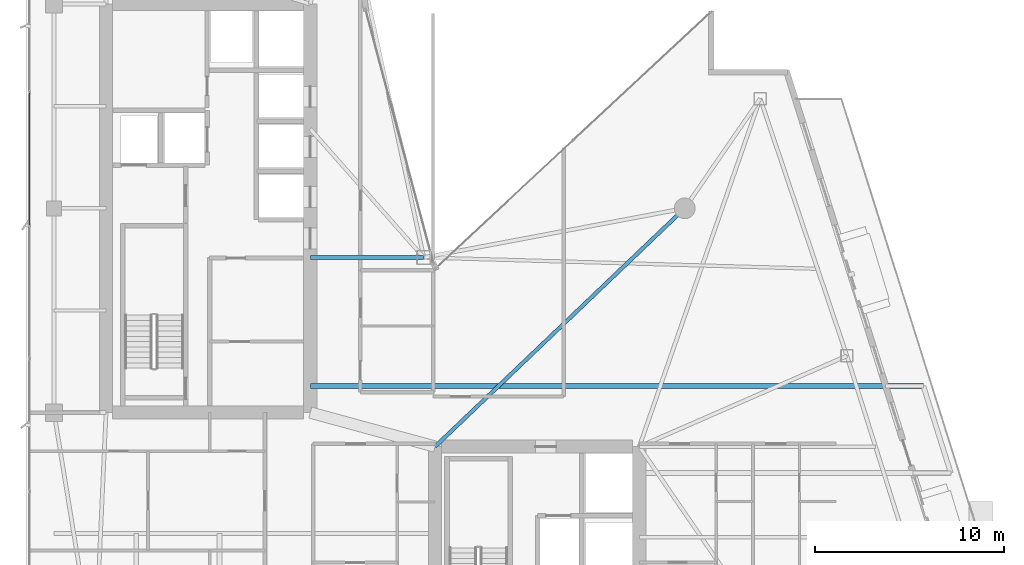
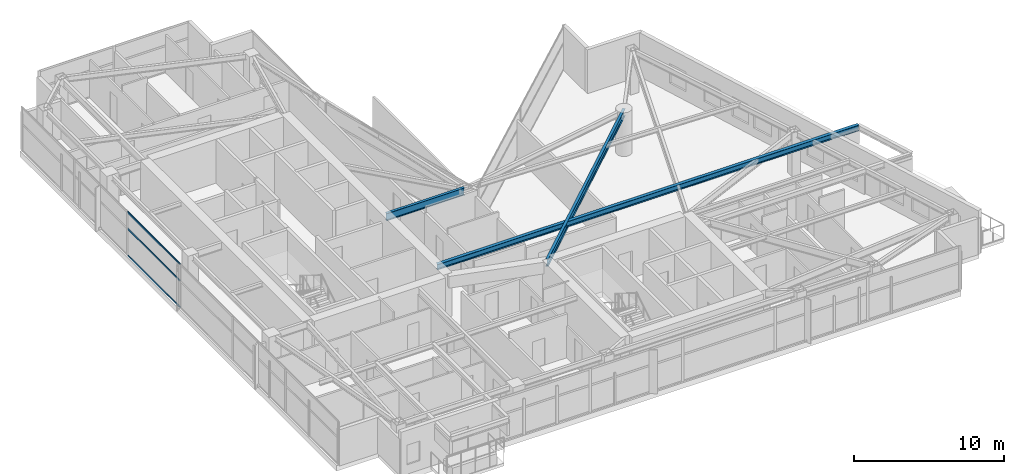
# One storey, part 9 of 28: 3 beams, 3 members, 1 element without a shape of its own.
"""IFC4 building model written with IfcOpenShell, lengths in metres."""

from ifc_helpers import new_model, si_unit, direction, frame, origin, origin_2d, place, context, subcontext, project, spatial, hollow_rectangle, i_section, extrude, material, layer, layer_set, material_profile, profile_set, type_object, element, aggregate, save


model = new_model("IFC4")

# Units and contexts
model_context = context("Model", 3, precision=1e-05, world=origin(), true_north=direction((0.0, 1.0)))
body_context = subcontext(model_context, "Body", "Model", "MODEL_VIEW")
ifc_project = project(units=[si_unit("LENGTHUNIT", "METRE"), si_unit("AREAUNIT", "SQUARE_METRE"), si_unit("VOLUMEUNIT", "CUBIC_METRE"), si_unit("PLANEANGLEUNIT", "RADIAN"), si_unit("MASSUNIT", "GRAM", prefix="KILO")], contexts=[model_context])

# Site, building, storey
site_placement = place(None, origin())
site = spatial("IfcSite", under=ifc_project, at=site_placement, CompositionType="ELEMENT")
building_placement = place(site_placement, origin())
building = spatial("IfcBuilding", under=site, at=building_placement, Name="Calvorn Quay Hotel", CompositionType="ELEMENT")
storey_placement = place(building_placement, frame((0.0, 0.0, 219.300048828125)))
storey = spatial("IfcBuildingStorey", under=building, at=storey_placement, Name="L54", CompositionType="ELEMENT", Elevation=219.300048828125)

# Beams
ifc_material_1 = material(Name="Steel Q355B", Category="steel")
ifc_material_profile_1 = material_profile(ifc_material_1, i_section(OverallWidth=0.25, OverallDepth=0.449951171875, WebThickness=0.011962890625, FlangeThickness=0.01611328125, FilletRadius=0.01611328125, at=origin_2d()), Name="HN450x250x12x16")
ifc_profile_set_1 = profile_set([ifc_material_profile_1], Name="Steel Q355B")
beam_type_1 = type_object("IfcBeamType", Name="BM-CANT-BALC", PredefinedType="BEAM", material=ifc_profile_set_1)
beam_1_placement = place(storey_placement, frame((15.0, 18.199951171875, 3.31494140625), z_axis=(1.0, 0.0, 0.0), x_axis=(0.0, 1.0, 0.0)))
element("IfcBeam", 1, at=beam_1_placement, inside=storey, type_object=beam_type_1, Name="Cantilever Balcony Beam BCB-L55-1B", PredefinedType="BEAM", context=body_context, shape_type="SweptSolid", body=[
    extrude(i_section(OverallWidth=0.25, OverallDepth=0.449951171875, WebThickness=0.011962890625, FlangeThickness=0.01611328125, FilletRadius=0.01611328125, at=origin_2d()), origin(), (0.0, 0.0, 1.0), 32.419921875),
])
ifc_material_2 = material(Name="Steel Q355B", Category="steel")
ifc_material_profile_2 = material_profile(ifc_material_2, i_section(OverallWidth=0.199951171875, OverallDepth=0.60009765625, WebThickness=0.010986328125, FlangeThickness=0.01708984375, FilletRadius=0.01806640625, at=origin_2d()), Name="HN600x200x11x17")
ifc_profile_set_2 = profile_set([ifc_material_profile_2], Name="Steel Q355B")
beam_type_2 = type_object("IfcBeamType", Name="BM-GIRD-TYP", PredefinedType="BEAM", material=ifc_profile_set_2)
beam_2_placement = place(storey_placement, frame((21.0, 25.0, 3.239990234375), z_axis=(-1.0, 0.0, 0.0), x_axis=(0.0, -1.0, 0.0)))
element("IfcBeam", 2, at=beam_2_placement, inside=storey, type_object=beam_type_2, Name="Beam BG-L54-W7", PredefinedType="BEAM", context=body_context, shape_type="SweptSolid", body=[
    extrude(i_section(OverallWidth=0.199951171875, OverallDepth=0.60009765625, WebThickness=0.010986328125, FlangeThickness=0.01708984375, FilletRadius=0.01806640625, at=origin_2d()), origin(), (0.0, 0.0, 1.0), 6.0),
])
beam_3_placement = place(storey_placement, frame((21.60009765625, 15.0, 3.239990234375), z_axis=(0.723351595578, 0.690479883252, 0.0), x_axis=(-0.690479883252, 0.723351595578, 0.0)))
element("IfcBeam", 3, at=beam_3_placement, inside=storey, type_object=beam_type_2, Name="Beam BG-L54-E4", PredefinedType="BEAM", context=body_context, shape_type="SweptSolid", body=[
    extrude(i_section(OverallWidth=0.199951171875, OverallDepth=0.60009765625, WebThickness=0.010986328125, FlangeThickness=0.01708984375, FilletRadius=0.01806640625, at=origin_2d()), origin(), (0.0, 0.0, 1.0), 18.248291015625),
])

# Curtain wall, members
ifc_material_3 = material(Name="Champagne Bronze Anodised Aluminium and Low-E Glass", Category="aluminium")
ifc_layer = layer(ifc_material_3, 0.219970703125)
ifc_layer_set = layer_set([ifc_layer], Name="CW-SYS-Z3")
curtain_wall_type = type_object("IfcCurtainWallType", Name="CW-SYS-Z3", PredefinedType="NOTDEFINED", material=ifc_layer_set)
curtain_wall_placement = place(storey_placement, origin())
curtain_wall = element("IfcCurtainWall", 4, at=curtain_wall_placement, inside=storey, type_object=curtain_wall_type, Name="Tower West Curtain Wall (L54)", PredefinedType="NOTDEFINED")
ifc_material_4 = material(Name="Champagne Bronze Anodised Aluminium 6063-T6", Category="aluminium")
ifc_material_profile_3 = material_profile(ifc_material_4, hollow_rectangle(XDim=0.05810546875, YDim=0.139892578125, WallThickness=0.003173828125, at=origin_2d()), Name="ALU-T140x58x3.2")
ifc_profile_set_3 = profile_set([ifc_material_profile_3], Name="Champagne Bronze Anodised Aluminium 6063-T6")
member_type = type_object("IfcMemberType", Name="CW-SYS-Z3-TRN", PredefinedType="USERDEFINED", material=ifc_profile_set_3)
member_1_placement = place(storey_placement, frame((0.14990234375, 26.72998046875, 0.030029296875), z_axis=(0.0, 1.0, 0.0), x_axis=(-1.0, 0.0, 0.0)))
member_1 = element("IfcMember", 5, at=member_1_placement, type_object=member_type, Name="CW-L54-W transom 4.1", ObjectType="TRANSOM", PredefinedType="USERDEFINED", context=body_context, shape_type="SweptSolid", body=[
    extrude(hollow_rectangle(XDim=0.05810546875, YDim=0.139892578125, WallThickness=0.003173828125, at=origin_2d()), origin(), (0.0, 0.0, 1.0), 6.973388671875),
])
member_2_placement = place(storey_placement, frame((0.14990234375, 26.72998046875, 2.199951171875), z_axis=(0.0, 1.0, 0.0), x_axis=(-1.0, 0.0, 0.0)))
member_2 = element("IfcMember", 6, at=member_2_placement, type_object=member_type, Name="CW-L54-W transom 4.2", ObjectType="TRANSOM", PredefinedType="USERDEFINED", context=body_context, shape_type="SweptSolid", body=[
    extrude(hollow_rectangle(XDim=0.05810546875, YDim=0.139892578125, WallThickness=0.003173828125, at=origin_2d()), origin(), (0.0, 0.0, 1.0), 6.973388671875),
])
member_3_placement = place(storey_placement, frame((0.14990234375, 26.72998046875, 3.530029296875), z_axis=(0.0, 1.0, 0.0), x_axis=(-1.0, 0.0, 0.0)))
member_3 = element("IfcMember", 7, at=member_3_placement, type_object=member_type, Name="CW-L54-W transom 4.3", ObjectType="TRANSOM", PredefinedType="USERDEFINED", context=body_context, shape_type="SweptSolid", body=[
    extrude(hollow_rectangle(XDim=0.05810546875, YDim=0.139892578125, WallThickness=0.003173828125, at=origin_2d()), origin(), (0.0, 0.0, 1.0), 6.973388671875),
])
aggregate(curtain_wall, [member_1, member_2, member_3])

save(model, "model.ifc")
